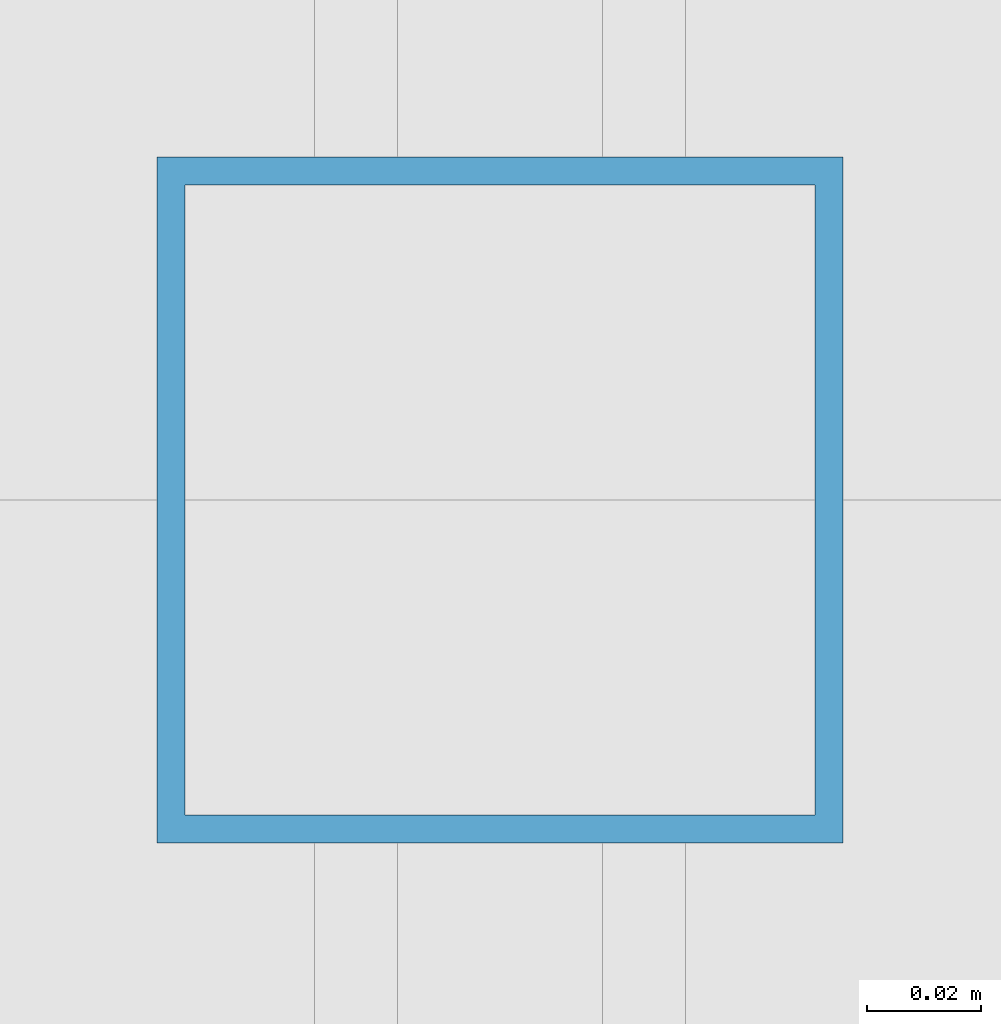
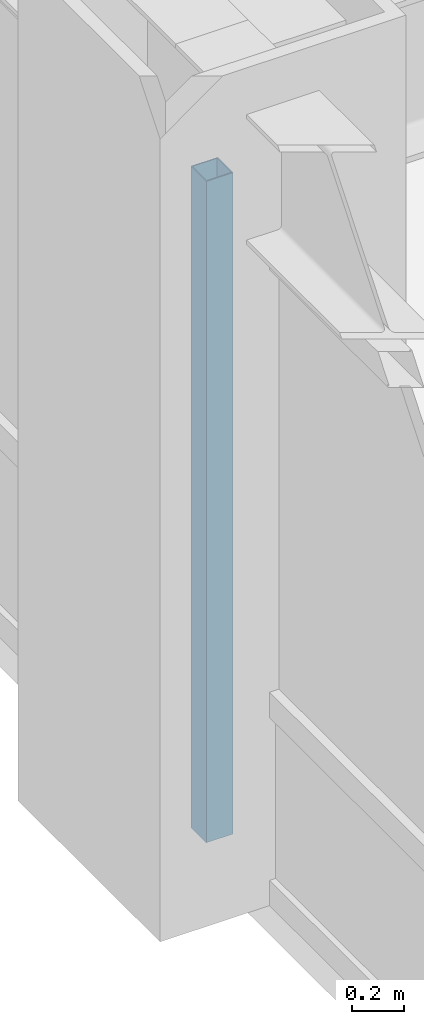
# One storey, part 6 of 24: 1 member, 1 element without a shape of its own.
"""IFC4 building model written with IfcOpenShell, lengths in metres."""

from ifc_helpers import new_model, si_unit, direction, frame, origin, origin_2d, place, context, subcontext, project, spatial, hollow_rectangle, extrude, source, transform, mapped, material, material_profile, profile_set, type_object, element, aggregate, save


model = new_model("IFC4")

# Units and contexts
model_context = context("Model", 3, precision=1e-05, world=origin(), true_north=direction((0.0, 1.0)))
body_context = subcontext(model_context, "Body", "Model", "MODEL_VIEW")
ifc_project = project(units=[si_unit("LENGTHUNIT", "METRE"), si_unit("AREAUNIT", "SQUARE_METRE"), si_unit("VOLUMEUNIT", "CUBIC_METRE"), si_unit("PLANEANGLEUNIT", "RADIAN"), si_unit("MASSUNIT", "GRAM", prefix="KILO")], contexts=[model_context])

# Site, building, storey
site_placement = place(None, origin())
site = spatial("IfcSite", under=ifc_project, at=site_placement, CompositionType="ELEMENT")
building_placement = place(site_placement, origin())
building = spatial("IfcBuilding", under=site, at=building_placement, Name="Khorayat Bourse Tower", CompositionType="ELEMENT")
storey_placement = place(building_placement, frame((0.0, 0.0, 179.10009765625)))
storey = spatial("IfcBuildingStorey", under=building, at=storey_placement, Name="L41", CompositionType="ELEMENT", Elevation=179.10009765625)

# Curtain wall, member
ifc_material = material(Name="Aluminium EN AW-6063 T6", Category="aluminium")
curtain_wall_type = type_object("IfcCurtainWallType", Name="CW-SYS-03", PredefinedType="NOTDEFINED", material=ifc_material)
curtain_wall_placement = place(storey_placement, origin())
curtain_wall = element("IfcCurtainWall", 1, at=curtain_wall_placement, inside=storey, type_object=curtain_wall_type, Name="L41 Curtain Wall CW-L41-W1", PredefinedType="NOTDEFINED")
ifc_material_profile = material_profile(ifc_material, hollow_rectangle(XDim=0.1201171875, YDim=0.1201171875, WallThickness=0.0048828125, at=origin_2d()), Name="ALU 120x120x5")
ifc_profile_set = profile_set([ifc_material_profile], Name="Aluminium EN AW-6063 T6")
member_type = type_object("IfcMemberType", Name="CWM-VERT-120", PredefinedType="MULLION", material=ifc_profile_set)
shared_shape = source(origin(), body_context, "Body", "SweptSolid", [
    extrude(hollow_rectangle(XDim=0.1201171875, YDim=0.1201171875, WallThickness=0.0048828125, at=origin_2d()), origin(), (0.0, 0.0, 1.0), 3.1298828125),
])
member_placement = place(storey_placement, frame((-30.0, 0.0, 0.0), z_axis=(0.0, 0.0, 1.0), x_axis=(-1.0, 0.0, 0.0)))
member = element("IfcMember", 2, at=member_placement, type_object=member_type, Name="CW-L41-W1 Vertical Mullion 2", PredefinedType="MULLION", context=body_context, shape_type="MappedRepresentation", body=[
    mapped(shared_shape, transform((0.0, 0.0, 0.0), scale=1.0)),
])
aggregate(curtain_wall, [member])

save(model, "model.ifc")
